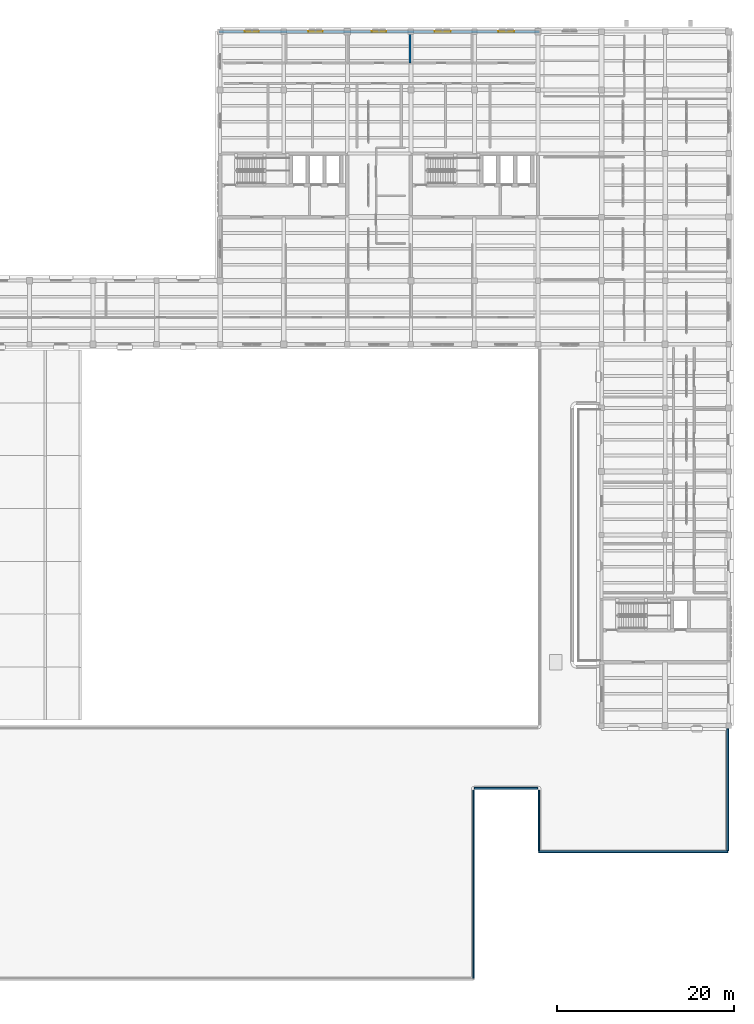
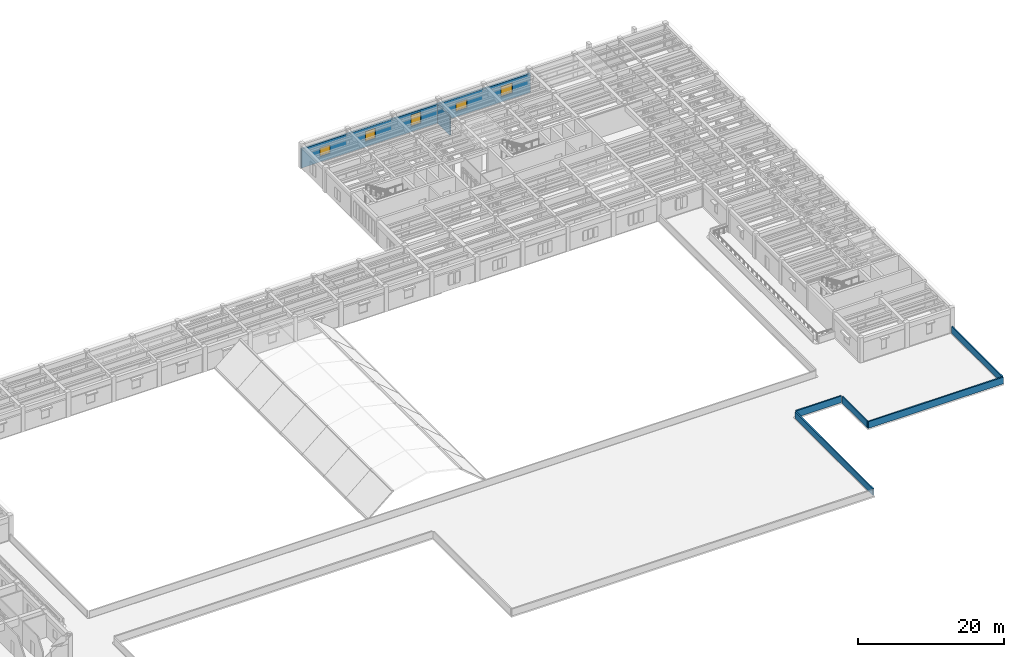
# One storey, part 26 of 40: 7 walls, 5 windows, 5 openings.
"""IFC4 building model written with IfcOpenShell, lengths in metres."""

from ifc_helpers import new_model, si_unit, direction, frame, frame_2d, origin, place, context, subcontext, project, spatial, rectangle, extrude, material, layer, layer_set, type_object, element, fill, save


model = new_model("IFC4")

# Units and contexts
model_context = context("Model", 3, precision=1e-05, world=origin(), true_north=direction((0.0, 1.0)))
body_context = subcontext(model_context, "Body", "Model", "MODEL_VIEW")
ifc_project = project(units=[si_unit("LENGTHUNIT", "METRE"), si_unit("AREAUNIT", "SQUARE_METRE"), si_unit("VOLUMEUNIT", "CUBIC_METRE"), si_unit("PLANEANGLEUNIT", "RADIAN"), si_unit("MASSUNIT", "GRAM", prefix="KILO")], contexts=[model_context])

# Site, building, storey
site_placement = place(None, origin())
site = spatial("IfcSite", under=ifc_project, at=site_placement, CompositionType="ELEMENT")
building_placement = place(site_placement, origin())
building = spatial("IfcBuilding", under=site, at=building_placement, Name="Mithqara Police Headquarters", CompositionType="ELEMENT")
storey_placement = place(building_placement, frame((0.0, 0.0, 13.800048828125)))
storey = spatial("IfcBuildingStorey", under=building, at=storey_placement, Name="L03", CompositionType="ELEMENT", Elevation=13.800048828125)

# Wall, openings, windows
ifc_material_1 = material(Name="Ochre masonry cavity wall, 35 MPa", Category="masonry")
ifc_layer_1 = layer(ifc_material_1, 0.300048828125, Name="Ochre masonry cavity wall, 35 MPa")
ifc_layer_set_1 = layer_set([ifc_layer_1], Name="Ochre masonry cavity wall, 35 MPa")
wall_type_1 = type_object("IfcWallType", Name="EXT WALL OCHRE BRICK300", PredefinedType="SOLIDWALL", material=ifc_layer_set_1)
wall_1_placement = place(storey_placement, frame((144.75, 114.0, 0.0), z_axis=(0.0, 0.0, 1.0), x_axis=(-1.0, 0.0, 0.0)))
wall_1 = element("IfcWall", 1, at=wall_1_placement, inside=storey, type_object=wall_type_1, Name="L03 Exterior Wall 13.1", PredefinedType="SOLIDWALL", context=body_context, shape_type="SweptSolid", body=[
    extrude(rectangle(XDim=36.300048828125, YDim=0.300048828125, at=frame_2d((18.14990234375, 0.0))), origin(), (0.0, 0.0, 1.0), 3.18994140625),
])
opening_1_placement = place(wall_1_placement, frame((31.75, 0.0, 0.949951171875)))
opening_1 = element("IfcOpeningElement", 2, at=opening_1_placement, cuts=wall_1, Name="Opening W-26", PredefinedType="OPENING", context=body_context, shape_type="SweptSolid", body=[
    extrude(rectangle(XDim=1.60009765625, YDim=1.39990234375, at=frame_2d((0.800048828125, 0.699951171875))), frame((0.0, 0.16015625, 0.0), z_axis=(0.0, -1.0, 0.0), x_axis=(1.0, 0.0, 0.0)), (0.0, 0.0, 1.0), 0.320068359375),
])
opening_2_placement = place(wall_1_placement, frame((24.550048828125, 0.0, 0.949951171875)))
opening_2 = element("IfcOpeningElement", 3, at=opening_2_placement, cuts=wall_1, Name="Opening W-27", PredefinedType="OPENING", context=body_context, shape_type="SweptSolid", body=[
    extrude(rectangle(XDim=1.60009765625, YDim=1.64990234375, at=frame_2d((0.800048828125, 0.824951171875))), frame((0.0, 0.16015625, 0.0), z_axis=(0.0, -1.0, 0.0), x_axis=(1.0, 0.0, 0.0)), (0.0, 0.0, 1.0), 0.320068359375),
])
opening_3_placement = place(wall_1_placement, frame((17.35009765625, 0.0, 0.949951171875)))
opening_3 = element("IfcOpeningElement", 4, at=opening_3_placement, cuts=wall_1, Name="Opening W-28", PredefinedType="OPENING", context=body_context, shape_type="SweptSolid", body=[
    extrude(rectangle(XDim=1.60009765625, YDim=1.89990234375, at=frame_2d((0.800048828125, 0.949951171875))), frame((0.0, 0.16015625, 0.0), z_axis=(0.0, -1.0, 0.0), x_axis=(1.0, 0.0, 0.0)), (0.0, 0.0, 1.0), 0.320068359375),
])
opening_4_placement = place(wall_1_placement, frame((10.050048828125, 0.0, 0.949951171875)))
opening_4 = element("IfcOpeningElement", 5, at=opening_4_placement, cuts=wall_1, Name="Opening W-31", PredefinedType="OPENING", context=body_context, shape_type="SweptSolid", body=[
    extrude(rectangle(XDim=1.800048828125, YDim=1.39990234375, at=frame_2d((0.89990234375, 0.699951171875))), frame((0.0, 0.16015625, 0.0), z_axis=(0.0, -1.0, 0.0), x_axis=(1.0, 0.0, 0.0)), (0.0, 0.0, 1.0), 0.320068359375),
])
opening_5_placement = place(wall_1_placement, frame((2.85009765625, 0.0, 0.949951171875)))
opening_5 = element("IfcOpeningElement", 6, at=opening_5_placement, cuts=wall_1, Name="Opening W-32", PredefinedType="OPENING", context=body_context, shape_type="SweptSolid", body=[
    extrude(rectangle(XDim=1.800048828125, YDim=1.64990234375, at=frame_2d((0.89990234375, 0.824951171875))), frame((0.0, 0.16015625, 0.0), z_axis=(0.0, -1.0, 0.0), x_axis=(1.0, 0.0, 0.0)), (0.0, 0.0, 1.0), 0.320068359375),
])
ifc_material_2 = material(Name="Spectrally selective double low-e glass", Category="glass")
window_type_1 = type_object("IfcWindowType", Name="WINDOW 1600X1400", PartitioningType="SINGLE_PANEL", PredefinedType="WINDOW", material=ifc_material_2)
window_1_placement = place(opening_1_placement, origin())
window_1 = element("IfcWindow", 7, at=window_1_placement, inside=storey, type_object=window_type_1, Name="L03 Command Block Screened Window 13.1", OverallHeight=1.39990234375, OverallWidth=1.60009765625, PartitioningType="SINGLE_PANEL", PredefinedType="WINDOW", context=body_context, shape_type="SweptSolid", body=[
    extrude(rectangle(XDim=1.60009765625, YDim=1.39990234375, at=frame_2d((0.800048828125, 0.699951171875))), frame((0.0, 0.030029296875, 0.0), z_axis=(0.0, -1.0, 0.0), x_axis=(1.0, 0.0, 0.0)), (0.0, 0.0, 1.0), 0.06005859375),
])
fill(opening_1, window_1)
window_type_2 = type_object("IfcWindowType", Name="WINDOW 1600X1650", PartitioningType="SINGLE_PANEL", PredefinedType="WINDOW", material=ifc_material_2)
window_2_placement = place(opening_2_placement, origin())
window_2 = element("IfcWindow", 8, at=window_2_placement, inside=storey, type_object=window_type_2, Name="L03 Command Block Screened Window 13.2", OverallHeight=1.64990234375, OverallWidth=1.60009765625, PartitioningType="SINGLE_PANEL", PredefinedType="WINDOW", context=body_context, shape_type="SweptSolid", body=[
    extrude(rectangle(XDim=1.60009765625, YDim=1.64990234375, at=frame_2d((0.800048828125, 0.824951171875))), frame((0.0, 0.030029296875, 0.0), z_axis=(0.0, -1.0, 0.0), x_axis=(1.0, 0.0, 0.0)), (0.0, 0.0, 1.0), 0.06005859375),
])
fill(opening_2, window_2)
window_type_3 = type_object("IfcWindowType", Name="WINDOW 1600X1900", PartitioningType="SINGLE_PANEL", PredefinedType="WINDOW", material=ifc_material_2)
window_3_placement = place(opening_3_placement, origin())
window_3 = element("IfcWindow", 9, at=window_3_placement, inside=storey, type_object=window_type_3, Name="L03 Command Block Screened Window 13.3", OverallHeight=1.89990234375, OverallWidth=1.60009765625, PartitioningType="SINGLE_PANEL", PredefinedType="WINDOW", context=body_context, shape_type="SweptSolid", body=[
    extrude(rectangle(XDim=1.60009765625, YDim=1.89990234375, at=frame_2d((0.800048828125, 0.949951171875))), frame((0.0, 0.030029296875, 0.0), z_axis=(0.0, -1.0, 0.0), x_axis=(1.0, 0.0, 0.0)), (0.0, 0.0, 1.0), 0.06005859375),
])
fill(opening_3, window_3)
window_type_4 = type_object("IfcWindowType", Name="WINDOW 1800X1400", PartitioningType="DOUBLE_PANEL_VERTICAL", PredefinedType="WINDOW", material=ifc_material_2)
window_4_placement = place(opening_4_placement, origin())
window_4 = element("IfcWindow", 10, at=window_4_placement, inside=storey, type_object=window_type_4, Name="L03 Command Block Screened Window 13.4", OverallHeight=1.39990234375, OverallWidth=1.800048828125, PartitioningType="SINGLE_PANEL", PredefinedType="WINDOW", context=body_context, shape_type="SweptSolid", body=[
    extrude(rectangle(XDim=1.800048828125, YDim=1.39990234375, at=frame_2d((0.89990234375, 0.699951171875))), frame((0.0, 0.030029296875, 0.0), z_axis=(0.0, -1.0, 0.0), x_axis=(1.0, 0.0, 0.0)), (0.0, 0.0, 1.0), 0.06005859375),
])
fill(opening_4, window_4)
window_type_5 = type_object("IfcWindowType", Name="WINDOW 1800X1650", PartitioningType="DOUBLE_PANEL_VERTICAL", PredefinedType="WINDOW", material=ifc_material_2)
window_5_placement = place(opening_5_placement, origin())
window_5 = element("IfcWindow", 11, at=window_5_placement, inside=storey, type_object=window_type_5, Name="L03 Command Block Screened Window 13.5", OverallHeight=1.64990234375, OverallWidth=1.800048828125, PartitioningType="SINGLE_PANEL", PredefinedType="WINDOW", context=body_context, shape_type="SweptSolid", body=[
    extrude(rectangle(XDim=1.800048828125, YDim=1.64990234375, at=frame_2d((0.89990234375, 0.824951171875))), frame((0.0, 0.030029296875, 0.0), z_axis=(0.0, -1.0, 0.0), x_axis=(1.0, 0.0, 0.0)), (0.0, 0.0, 1.0), 0.06005859375),
])
fill(opening_5, window_5)

# Walls
ifc_material_3 = material(Name="Limestone ashlar masonry, 45 MPa", Category="masonry")
ifc_layer_2 = layer(ifc_material_3, 0.199951171875, Name="Limestone ashlar masonry, 45 MPa")
ifc_layer_set_2 = layer_set([ifc_layer_2], Name="Limestone ashlar masonry, 45 MPa")
wall_type_2 = type_object("IfcWallType", Name="PARAPET WALL 200", PredefinedType="PARAPET", material=ifc_layer_set_2)
wall_2_placement = place(storey_placement, frame((166.090087890625, 35.070068359375, 0.0), z_axis=(0.0, 0.0, 1.0), x_axis=(0.0, -1.0, 0.0)))
element("IfcWall", 12, at=wall_2_placement, inside=storey, type_object=wall_type_2, Name="L03 Limestone Roof Parapet ROOF-L02-00-294", PredefinedType="PARAPET", context=body_context, shape_type="SweptSolid", body=[
    extrude(rectangle(XDim=13.85009765625, YDim=0.199951171875, at=frame_2d((6.925048828125, 0.0))), origin(), (0.0, 0.0, 1.0), 1.119873046875),
])
wall_3_placement = place(storey_placement, frame((144.7099609375, 21.219970703125, 0.0), z_axis=(0.0, 0.0, 1.0), x_axis=(0.0, 1.0, 0.0)))
element("IfcWall", 13, at=wall_3_placement, inside=storey, type_object=wall_type_2, Name="L03 Limestone Roof Parapet ROOF-L02-00-296", PredefinedType="PARAPET", context=body_context, shape_type="SweptSolid", body=[
    extrude(rectangle(XDim=6.8701171875, YDim=0.199951171875, at=frame_2d((3.43505859375, 0.0))), origin(), (0.0, 0.0, 1.0), 1.119873046875),
])
wall_4_placement = place(storey_placement, frame((137.2900390625, 28.090087890625, 0.0), z_axis=(0.0, 0.0, 1.0), x_axis=(0.0, -1.0, 0.0)))
element("IfcWall", 14, at=wall_4_placement, inside=storey, type_object=wall_type_2, Name="L03 Limestone Roof Parapet ROOF-L02-00-330", PredefinedType="PARAPET", context=body_context, shape_type="SweptSolid", body=[
    extrude(rectangle(XDim=21.27001953125, YDim=0.199951171875, at=frame_2d((10.635009765625, 0.0))), origin(), (0.0, 0.0, 1.0), 1.119873046875),
])
ifc_layer_3 = layer(ifc_material_3, 0.219970703125, Name="Limestone ashlar masonry, 45 MPa")
ifc_layer_set_3 = layer_set([ifc_layer_3], Name="Limestone ashlar masonry, 45 MPa")
wall_type_3 = type_object("IfcWallType", Name="PARAPET WALL 220", PredefinedType="PARAPET", material=ifc_layer_set_3)
wall_5_placement = place(storey_placement, frame((166.090087890625, 21.110107421875, 0.0), z_axis=(0.0, 0.0, 1.0), x_axis=(-1.0, 0.0, 0.0)))
element("IfcWall", 15, at=wall_5_placement, inside=storey, type_object=wall_type_3, Name="L03 Limestone Roof Parapet ROOF-L02-00-295", PredefinedType="PARAPET", context=body_context, shape_type="SweptSolid", body=[
    extrude(rectangle(XDim=21.380126953125, YDim=0.219970703125, at=frame_2d((10.68994140625, 0.0))), origin(), (0.0, 0.0, 1.0), 1.119873046875),
])
wall_6_placement = place(storey_placement, frame((144.60009765625, 28.31005859375, 0.0), z_axis=(0.0, 0.0, 1.0), x_axis=(-1.0, 0.0, 0.0)))
element("IfcWall", 16, at=wall_6_placement, inside=storey, type_object=wall_type_3, Name="L03 Limestone Roof Parapet ROOF-L02-00-313", PredefinedType="PARAPET", context=body_context, shape_type="SweptSolid", body=[
    extrude(rectangle(XDim=7.2001953125, YDim=0.219970703125, at=frame_2d((3.60009765625, 0.0))), origin(), (0.0, 0.0, 1.0), 1.119873046875),
])
ifc_material_4 = material(Name="Concrete C40/50", Category="concrete")
ifc_layer_4 = layer(ifc_material_4, 0.22998046875, Name="Concrete C40/50")
ifc_layer_set_4 = layer_set([ifc_layer_4], Name="Concrete C40/50")
wall_type_4 = type_object("IfcWallType", Name="PART WALL 230", PredefinedType="PARTITIONING", material=ifc_layer_set_4)
wall_7_placement = place(storey_placement, frame((130.115966796875, 110.47998046875, 0.0), z_axis=(0.0, 0.0, 1.0), x_axis=(0.0, 1.0, 0.0)))
element("IfcWall", 17, at=wall_7_placement, inside=storey, type_object=wall_type_4, Name="L03 Room Partition Judicial Liaison Suite", PredefinedType="PARTITIONING", context=body_context, shape_type="SweptSolid", body=[
    extrude(rectangle(XDim=3.340087890625, YDim=0.22998046875, at=frame_2d((1.669921875, 0.0))), origin(), (0.0, 0.0, 1.0), 3.139892578125),
])

save(model, "model.ifc")
